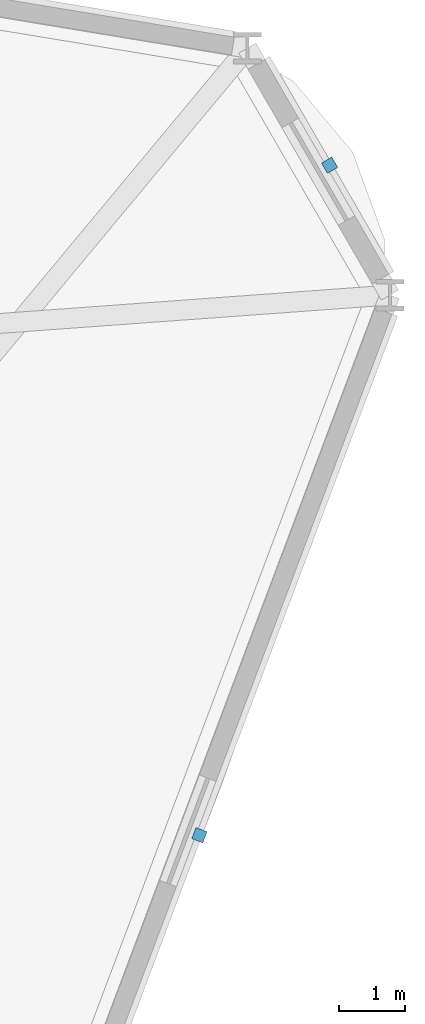
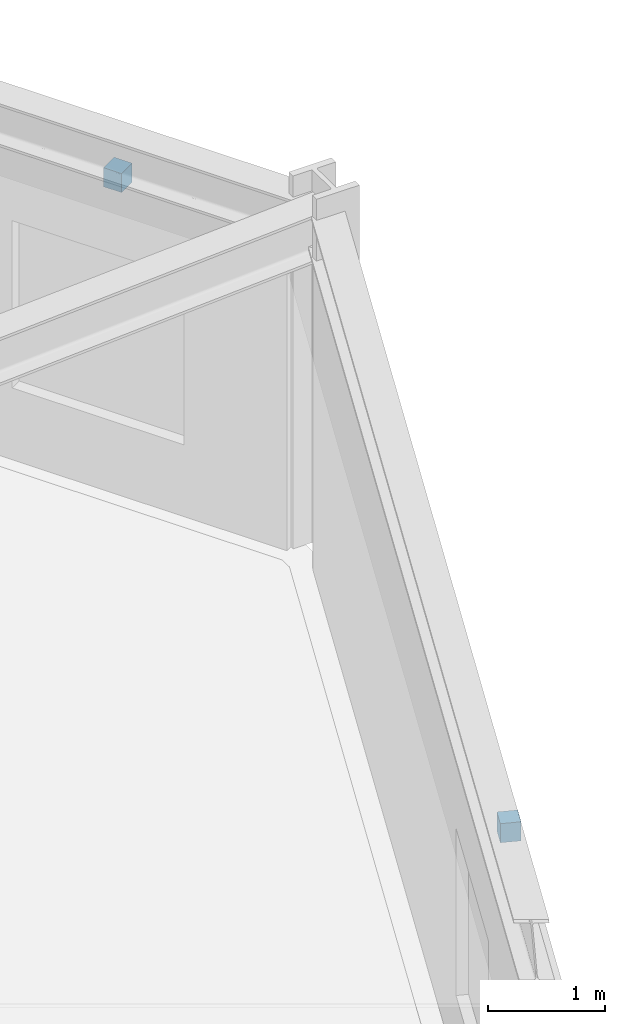
# One storey, part 17 of 20: 2 discrete accessories.
"""IFC4 building model written with IfcOpenShell, lengths in metres."""

import ifcopenshell
import ifcopenshell.guid

model = None  # the IFC model being written
_history = None  # IfcOwnerHistory: only IFC2X3 demands one
_inside = {}  # id of a spatial element -> (the spatial element, [elements in it])
_under = {}  # id of a project, library or spatial element -> (it, [spatial elements below it])
_declared = {}  # id of a project -> (the project, [libraries it declares])
_typed = {}  # id of a type object -> (the type object, [elements of that type])
_made_of = {}  # id of a material, layer set ... -> (it, [elements and type objects made of it])


def new_model(schema):
    """Start an empty IFC model of exactly this schema.

    Asked for "IFC4X3", IfcOpenShell would pick the latest addendum, in which some entities
    have other attributes; the version numbers below select the first issue.
    IFC2X3 requires an IfcOwnerHistory on every rooted entity: one is made here for all.
    """
    global model, _history
    if schema == "IFC4X3":
        model = ifcopenshell.file(schema_version=(4, 3, 0, 0))
    else:
        model = ifcopenshell.file(schema=schema)
    _inside.clear()
    _under.clear()
    _declared.clear()
    _typed.clear()
    _made_of.clear()
    _history = None
    if model.schema == "IFC2X3":
        org = make("IfcOrganization", Name="unknown")
        user = make(
            "IfcPersonAndOrganization",
            ThePerson=make("IfcPerson", FamilyName="unknown"),
            TheOrganization=org,
        )
        app = make(
            "IfcApplication",
            ApplicationDeveloper=org,
            Version="unknown",
            ApplicationFullName="unknown",
            ApplicationIdentifier="unknown",
        )
        _history = make(
            "IfcOwnerHistory",
            OwningUser=user,
            OwningApplication=app,
            ChangeAction="ADDED",
            CreationDate=0,
        )
    return model


def make(cls, **values):
    """One entity of the class cls with the attributes given. An attribute that is None is left unset."""
    return model.create_entity(
        cls, **{name: value for name, value in values.items() if value is not None}
    )


def rooted(cls, **values):
    """An entity with a GlobalId (a new one), such as an element, a storey or a relation."""
    return make(cls, GlobalId=ifcopenshell.guid.new(), OwnerHistory=_history, **values)


def si_unit(unit_type, name, prefix=None):
    """IfcSIUnit, for example si_unit("LENGTHUNIT", "METRE", prefix="MILLI")."""
    return make("IfcSIUnit", UnitType=unit_type, Prefix=prefix, Name=name)


def derived_unit(unit_type, elements):
    """IfcDerivedUnit: a product of units, each with its exponent."""
    return make(
        "IfcDerivedUnit",
        Elements=[
            make("IfcDerivedUnitElement", Unit=unit, Exponent=power)
            for unit, power in elements
        ],
        UnitType=unit_type,
    )


def assignment(units):
    """IfcUnitAssignment: the units of a project."""
    return None if units is None else make("IfcUnitAssignment", Units=units)


def point(xyz):
    """IfcCartesianPoint."""
    return None if xyz is None else make("IfcCartesianPoint", Coordinates=xyz)


def direction(xyz):
    """IfcDirection."""
    return None if xyz is None else make("IfcDirection", DirectionRatios=xyz)


def frame(location, z_axis=None, x_axis=None):
    """IfcAxis2Placement3D, a coordinate frame: its origin and axes. An axis left out is left unset."""
    return make(
        "IfcAxis2Placement3D",
        Location=point(location),
        Axis=direction(z_axis),
        RefDirection=direction(x_axis),
    )


def frame_2d(location, x_axis=None):
    """IfcAxis2Placement2D, a coordinate frame in the plane: its origin and x axis."""
    return make(
        "IfcAxis2Placement2D", Location=point(location), RefDirection=direction(x_axis)
    )


def origin():
    """The frame at (0, 0, 0) with its axes left unset."""
    return frame((0.0, 0.0, 0.0))


def origin_2d():
    """The frame at (0, 0) in the plane with its x axis left unset."""
    return frame_2d((0.0, 0.0))


def place(relative_to, where):
    """IfcLocalPlacement: puts the frame where relative to a parent placement (None: the world)."""
    return make(
        "IfcLocalPlacement", PlacementRelTo=relative_to, RelativePlacement=where
    )


def context(
    kind, dimensions, precision=None, world=None, true_north=None, identifier=None
):
    """IfcGeometricRepresentationContext, for example the 3D "Model" context."""
    return make(
        "IfcGeometricRepresentationContext",
        ContextIdentifier=identifier,
        ContextType=kind,
        CoordinateSpaceDimension=dimensions,
        Precision=precision,
        WorldCoordinateSystem=world,
        TrueNorth=true_north,
    )


def subcontext(parent, identifier, kind, view, scale=None):
    """IfcGeometricRepresentationSubContext, for example "Body" below "Model"."""
    return make(
        "IfcGeometricRepresentationSubContext",
        ContextIdentifier=identifier,
        ContextType=kind,
        ParentContext=parent,
        TargetScale=scale,
        TargetView=view,
    )


def project(units=None, contexts=None):
    """IfcProject with its units and contexts."""
    return rooted(
        "IfcProject",
        Name="project",
        RepresentationContexts=contexts,
        UnitsInContext=assignment(units),
    )


def spatial(cls, under=None, at=None, **own):
    """A site, building, storey or space (cls), placed at a placement, below another one or the project."""
    s = rooted(cls, ObjectPlacement=at, **own)
    if under is not None:
        _under.setdefault(under.id(), (under, []))[1].append(s)
    return s


def profile(cls, at=None, kind="AREA", **sizes):
    """A parametric profile (cls). Its sizes go by their IFC names, for example OverallWidth=200.0."""
    return make(cls, ProfileType=kind, Position=at, **sizes)


def rectangle(**sizes):
    """IfcRectangleProfileDef."""
    return profile("IfcRectangleProfileDef", **sizes)


def extrude(swept, where, along, depth):
    """IfcExtrudedAreaSolid: the profile swept, set in the frame where, extruded along a direction by depth."""
    return make(
        "IfcExtrudedAreaSolid",
        SweptArea=swept,
        Position=where,
        ExtrudedDirection=direction(along),
        Depth=depth,
    )


def shape(context_of_items, identifier, shape_type, items):
    """IfcShapeRepresentation: the items that make up one representation, for example the "Body"."""
    return make(
        "IfcShapeRepresentation",
        ContextOfItems=context_of_items,
        RepresentationIdentifier=identifier,
        RepresentationType=shape_type,
        Items=items,
    )


def source(mapping_origin, context_of_items, identifier, shape_type, items):
    """IfcRepresentationMap: a shape defined once, which mapped items show again and again."""
    return make(
        "IfcRepresentationMap",
        MappingOrigin=mapping_origin,
        MappedRepresentation=shape(context_of_items, identifier, shape_type, items),
    )


def transform(
    local_origin,
    x_axis=None,
    y_axis=None,
    z_axis=None,
    scale=None,
    scale2=None,
    scale3=None,
    uniform=True,
):
    """IfcCartesianTransformationOperator3D, or its non-uniform kind. x_axis, y_axis, z_axis: its Axis1, 2, 3."""
    if uniform:
        return make(
            "IfcCartesianTransformationOperator3D",
            Axis1=direction(x_axis),
            Axis2=direction(y_axis),
            LocalOrigin=point(local_origin),
            Scale=scale,
            Axis3=direction(z_axis),
        )
    return make(
        "IfcCartesianTransformationOperator3DnonUniform",
        Axis1=direction(x_axis),
        Axis2=direction(y_axis),
        LocalOrigin=point(local_origin),
        Scale=scale,
        Axis3=direction(z_axis),
        Scale2=scale2,
        Scale3=scale3,
    )


def mapped(mapping_source, mapping_target):
    """IfcMappedItem: shows the shape of a source again, moved by a transform."""
    return make(
        "IfcMappedItem", MappingSource=mapping_source, MappingTarget=mapping_target
    )


def material(Name=None, Category=None):
    """IfcMaterial."""
    return make("IfcMaterial", Name=Name, Category=Category)


def made_of(thing, what):
    """Note that an element or type object is made of a material, layer set ...; save() writes the relation."""
    if what is not None:
        _made_of.setdefault(what.id(), (what, []))[1].append(thing)
    return thing


def type_object(cls, material=None, **own):
    """A type object (cls), such as IfcWallType, which elements share."""
    return made_of(rooted(cls, **own), material)


def element(
    cls,
    number,
    at=None,
    inside=None,
    cuts=None,
    type_object=None,
    material=None,
    context=None,
    identifier="Body",
    shape_type=None,
    held_by="IfcProductDefinitionShape",
    body=None,
    shapes=None,
    **own,
):
    """One element of the class cls, such as IfcWall. Its Tag is "e" and its number.

    at: its placement. inside: the storey or other place that contains it. cuts: it is an
    opening in that element (IfcRelVoidsElement). A single representation is given by context,
    identifier, shape_type and body (its items); several are given by shapes. held_by: the class
    of the entity that holds the representations. save() writes the other relations.
    """
    e = rooted(cls, Tag="e%d" % number, ObjectPlacement=at, **own)
    if body is not None:
        shapes = [shape(context, identifier, shape_type, body)]
    if shapes is not None:
        e.Representation = make(held_by, Representations=shapes)
    if inside is not None:
        _inside.setdefault(inside.id(), (inside, []))[1].append(e)
    if cuts is not None:
        rooted(
            "IfcRelVoidsElement", RelatingBuildingElement=cuts, RelatedOpeningElement=e
        )
    if type_object is not None:
        _typed.setdefault(type_object.id(), (type_object, []))[1].append(e)
    return made_of(e, material)


def aggregate(whole, parts):
    """IfcRelAggregates: a whole, such as a stair, and the parts it consists of."""
    return rooted("IfcRelAggregates", RelatingObject=whole, RelatedObjects=parts)


def save(model, path):
    """Write the relations noted so far, then the file.

    IfcRelAggregates (storeys below a building ...), IfcRelContainedInSpatialStructure (elements
    in a storey), IfcRelDefinesByType, IfcRelAssociatesMaterial and IfcRelDeclares: one each for
    every whole, place, type object, material and project.
    """
    for whole, parts in _under.values():
        aggregate(whole, parts)
    for where, things in _inside.values():
        rooted(
            "IfcRelContainedInSpatialStructure",
            RelatedElements=things,
            RelatingStructure=where,
        )
    for kind, things in _typed.values():
        rooted("IfcRelDefinesByType", RelatedObjects=things, RelatingType=kind)
    for what, things in _made_of.values():
        rooted("IfcRelAssociatesMaterial", RelatedObjects=things, RelatingMaterial=what)
    for by, libraries in _declared.values():
        rooted("IfcRelDeclares", RelatingContext=by, RelatedDefinitions=libraries)
    model.write(path)


model = new_model("IFC4")

# Units and contexts
model_context = context("Model", 3, precision=1e-05, world=origin(), true_north=direction((0.0, 1.0)))
body_context = subcontext(model_context, "Body", "Model", "MODEL_VIEW")
ifc_project = project(units=[si_unit("LENGTHUNIT", "METRE"), si_unit("AREAUNIT", "SQUARE_METRE"), si_unit("VOLUMEUNIT", "CUBIC_METRE"), si_unit("PLANEANGLEUNIT", "RADIAN"), si_unit("MASSUNIT", "GRAM", prefix="KILO"), derived_unit("THERMALTRANSMITTANCEUNIT", [(si_unit("POWERUNIT", "WATT"), 1), (si_unit("LENGTHUNIT", "METRE"), -2), (si_unit("THERMODYNAMICTEMPERATUREUNIT", "KELVIN"), -1)])], contexts=[model_context])

# Site, building, storey
site_placement = place(None, origin())
site = spatial("IfcSite", under=ifc_project, at=site_placement, CompositionType="ELEMENT")
building_placement = place(site_placement, origin())
building = spatial("IfcBuilding", under=site, at=building_placement, Name="Korsvarv Bourse and Concert Hall", CompositionType="ELEMENT")
storey_placement = place(building_placement, frame((0.0, 0.0, 87.300048828125)))
storey = spatial("IfcBuildingStorey", under=building, at=storey_placement, Name="L21", CompositionType="ELEMENT", Elevation=87.300048828125)

# Discrete accessories
ifc_material = material(Name="Stainless Steel S355 facade outrigger bracket", Category="steel")
discrete_accessory_type = type_object("IfcDiscreteAccessoryType", Name="ACC-BRK-1", PredefinedType="BRACKET", material=ifc_material)
shared_shape = source(origin(), body_context, "Body", "SweptSolid", [
    extrude(rectangle(XDim=0.179931640625, YDim=0.179931640625, at=origin_2d()), origin(), (0.0, 0.0, 1.0), 0.199951171875),
])
for number, where, z_axis, x_axis, name in (
    (1, (65.794189453125, 50.77685546875, 2.97021484375), (0.0, 0.0, 1.0), (-0.5, 0.866025403784, 0.0), "L21 terracotta sunshade bracket EW-L21-B01"),
    (2, (63.830322265625, 40.671875, 2.97021484375), (0.0, 0.0, 1.0), (0.352331719779, 0.935875183578, 0.0), "L21 terracotta sunshade bracket EW-L21-B12"),
):
    element("IfcDiscreteAccessory", number, at=place(storey_placement, frame(where, z_axis=z_axis, x_axis=x_axis)), inside=storey, type_object=discrete_accessory_type, Name=name, PredefinedType="BRACKET", context=body_context, shape_type="MappedRepresentation", body=[
        mapped(shared_shape, transform((0.0, 0.0, 0.0), scale=1.0)),
    ])

save(model, "model.ifc")
